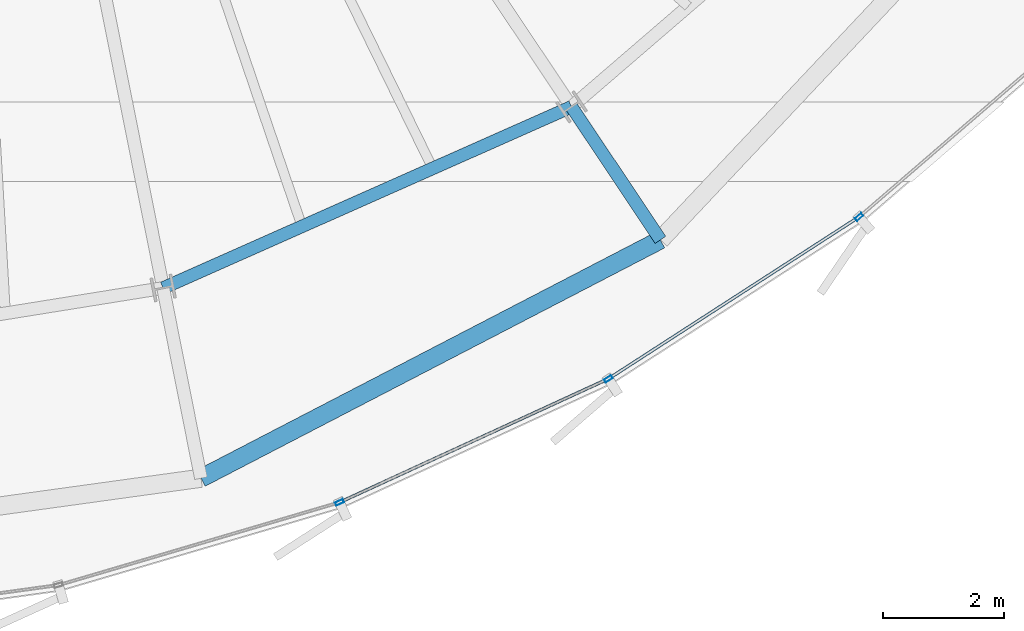
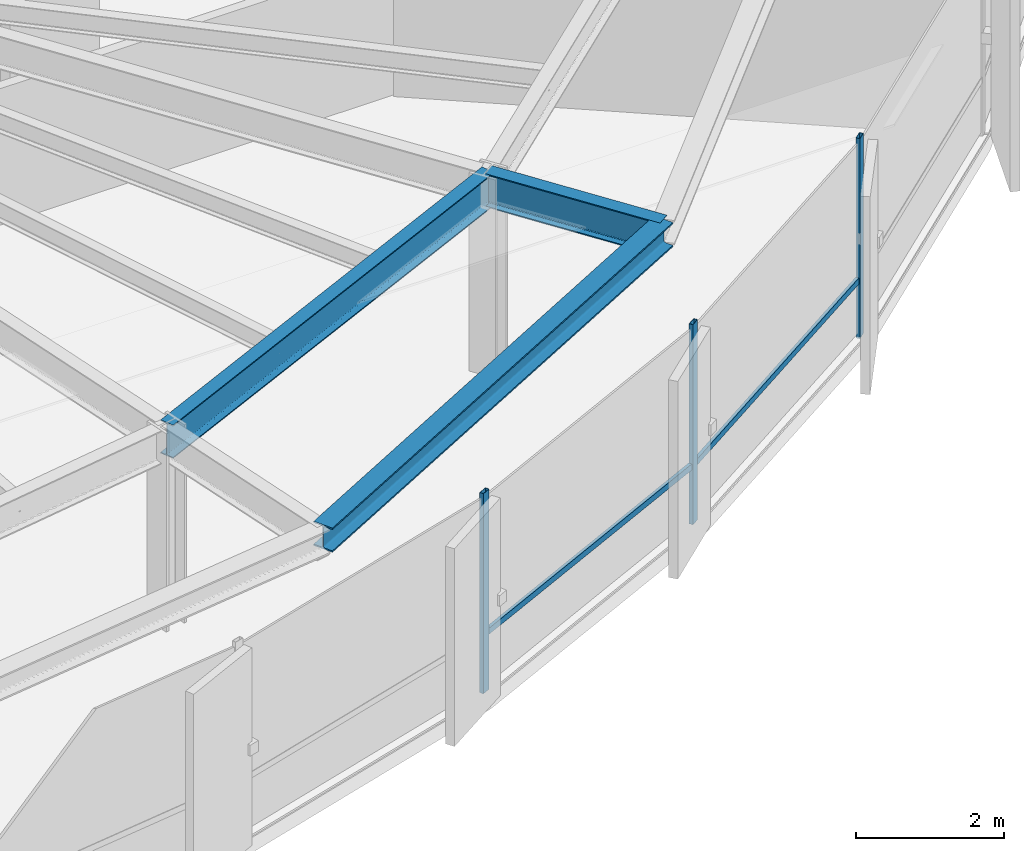
# One storey, part 12 of 36: 5 members, 3 beams, 1 element without a shape of its own.
"""IFC4 building model written with IfcOpenShell, lengths in metres."""

from ifc_helpers import new_model, si_unit, direction, frame, origin, origin_2d, place, context, subcontext, project, spatial, hollow_rectangle, i_section, extrude, source, transform, mapped, material, layer, layer_set, material_profile, profile_set, type_object, element, aggregate, save


model = new_model("IFC4")

# Units and contexts
model_context = context("Model", 3, precision=1e-05, world=origin(), true_north=direction((0.0, 1.0)))
body_context = subcontext(model_context, "Body", "Model", "MODEL_VIEW")
ifc_project = project(units=[si_unit("LENGTHUNIT", "METRE"), si_unit("AREAUNIT", "SQUARE_METRE"), si_unit("VOLUMEUNIT", "CUBIC_METRE"), si_unit("PLANEANGLEUNIT", "RADIAN"), si_unit("MASSUNIT", "GRAM", prefix="KILO"), si_unit("THERMODYNAMICTEMPERATUREUNIT", "KELVIN")], contexts=[model_context])

# Site, building, storey
site_placement = place(None, origin())
site = spatial("IfcSite", under=ifc_project, at=site_placement, CompositionType="ELEMENT")
building_placement = place(site_placement, origin())
building = spatial("IfcBuilding", under=site, at=building_placement, Name="Kethvar Cultural Tower", CompositionType="ELEMENT")
storey_placement = place(building_placement, frame((0.0, 0.0, 150.10009765625)))
storey = spatial("IfcBuildingStorey", under=building, at=storey_placement, Name="L38", CompositionType="ELEMENT", Elevation=150.10009765625)

# Beams
ifc_material_1 = material(Name="Steel S355J2", Category="steel")
ifc_material_profile_1 = material_profile(ifc_material_1, i_section(OverallWidth=0.2099609375, OverallDepth=0.550048828125, WebThickness=0.010986328125, FlangeThickness=0.01708984375, FilletRadius=0.02392578125, at=origin_2d()), Name="Steel S355J2 — IPE550")
ifc_profile_set_1 = profile_set([ifc_material_profile_1], Name="Steel S355J2 — IPE550")
beam_type_1 = type_object("IfcBeamType", Name="BM-IPE550", PredefinedType="BEAM", material=ifc_profile_set_1)
shared_shape_1 = source(origin(), body_context, "Body", "SweptSolid", [
    extrude(i_section(OverallWidth=0.2099609375, OverallDepth=0.550048828125, WebThickness=0.010986328125, FlangeThickness=0.01708984375, FilletRadius=0.02392578125, at=origin_2d()), origin(), (0.0, 0.0, 1.0), 7.3720703125),
])
beam_1_placement = place(storey_placement, frame((50.50341796875, 9.182373046875, 3.02294921875), z_axis=(0.914058560918, 0.405582232367, 0.0), x_axis=(-0.405582232367, 0.914058560918, 0.0)))
element("IfcBeam", 1, at=beam_1_placement, inside=storey, type_object=beam_type_1, Name="L38 Column Ring Tie Beam CR-13", PredefinedType="BEAM", context=body_context, shape_type="MappedRepresentation", body=[
    mapped(shared_shape_1, transform((0.0, 0.0, 0.0), scale=1.0)),
])
shared_shape_2 = source(origin(), body_context, "Body", "SweptSolid", [
    extrude(i_section(OverallWidth=0.2099609375, OverallDepth=0.550048828125, WebThickness=0.010986328125, FlangeThickness=0.01708984375, FilletRadius=0.02392578125, at=origin_2d()), origin(), (0.0, 0.0, 1.0), 2.640869140625),
])
beam_2_placement = place(storey_placement, frame((57.241943359375, 12.17236328125, 3.02294921875), z_axis=(0.555595882292, -0.831452473434, 0.0), x_axis=(0.831452473434, 0.555595882292, 0.0)))
element("IfcBeam", 2, at=beam_2_placement, inside=storey, type_object=beam_type_1, Name="L38 Perimeter Cantilever Beam RC-14", PredefinedType="BEAM", context=body_context, shape_type="MappedRepresentation", body=[
    mapped(shared_shape_2, transform((0.0, 0.0, 0.0), scale=1.0)),
])
ifc_material_profile_2 = material_profile(ifc_material_1, i_section(OverallWidth=0.300048828125, OverallDepth=0.39990234375, WebThickness=0.013427734375, FlangeThickness=0.02392578125, FilletRadius=0.027099609375, at=origin_2d()), Name="Steel S355J2 — HEB400")
ifc_profile_set_2 = profile_set([ifc_material_profile_2], Name="Steel S355J2 — HEB400")
beam_type_2 = type_object("IfcBeamType", Name="BM-SP400", PredefinedType="SPANDREL", material=ifc_profile_set_2)
shared_shape_3 = source(origin(), body_context, "Body", "SweptSolid", [
    extrude(i_section(OverallWidth=0.300048828125, OverallDepth=0.39990234375, WebThickness=0.013427734375, FlangeThickness=0.02392578125, FilletRadius=0.027099609375, at=origin_2d()), origin(), (0.0, 0.0, 1.0), 8.541015625),
])
beam_3_placement = place(storey_placement, frame((51.127685546875, 6.043701171875, 3.097900390625), z_axis=(0.887673614915, 0.460473184217, 0.0), x_axis=(-0.460473184217, 0.887673614915, 0.0)))
element("IfcBeam", 3, at=beam_3_placement, inside=storey, type_object=beam_type_2, Name="L38 Perimeter Spandrel Beam SP-13", PredefinedType="SPANDREL", context=body_context, shape_type="MappedRepresentation", body=[
    mapped(shared_shape_3, transform((0.0, 0.0, 0.0), scale=1.0)),
])

# Curtain wall, members
ifc_material_2 = material(Name="Aluminium 6063-T6", Category="aluminium")
ifc_layer = layer(ifc_material_2, 0.179931640625, Name="Aluminium 6063-T6", Category="aluminium")
ifc_layer_set = layer_set([ifc_layer], Name="Aluminium 6063-T6 (180 mm)")
curtain_wall_type = type_object("IfcCurtainWallType", Name="CW-SYS-04-Z34", PredefinedType="NOTDEFINED", material=ifc_layer_set)
curtain_wall_placement = place(storey_placement, origin())
curtain_wall = element("IfcCurtainWall", 4, at=curtain_wall_placement, inside=storey, type_object=curtain_wall_type, Name="L38 Curtain Wall Run 05", PredefinedType="NOTDEFINED")
ifc_material_profile_3 = material_profile(ifc_material_2, hollow_rectangle(XDim=0.06005859375, YDim=0.139892578125, WallThickness=0.0048828125, at=origin_2d()), Name="Aluminium 6063-T6 — RHS140x60x5")
ifc_profile_set_3 = profile_set([ifc_material_profile_3], Name="Aluminium 6063-T6 — RHS140x60x5")
member_type_1 = type_object("IfcMemberType", Name="CW-SYS-04-Z34-MUL", PredefinedType="MULLION", material=ifc_profile_set_3)
shared_shape_4 = source(origin(), body_context, "Body", "SweptSolid", [
    extrude(hollow_rectangle(XDim=0.06005859375, YDim=0.139892578125, WallThickness=0.0048828125, at=origin_2d()), origin(), (0.0, 0.0, 1.0), 3.2998046875),
])
member_1_placement = place(storey_placement, frame((53.41455078125, 5.64453125, 0.0), z_axis=(0.0, 0.0, 1.0), x_axis=(-0.417819503851, 0.90853005575, 0.0)))
member_1 = element("IfcMember", 5, at=member_1_placement, type_object=member_type_1, Name="CW-L38-R05 Mullion 3", PredefinedType="MULLION", context=body_context, shape_type="MappedRepresentation", body=[
    mapped(shared_shape_4, transform((0.0, 0.0, 0.0), scale=1.0)),
])
member_2_placement = place(storey_placement, frame((57.850341796875, 7.683349609375, 0.0), z_axis=(0.0, 0.0, 1.0), x_axis=(-0.542720092405, 0.839913627286, 0.0)))
member_2 = element("IfcMember", 6, at=member_2_placement, type_object=member_type_1, Name="CW-L38-R05 Mullion 4", PredefinedType="MULLION", context=body_context, shape_type="MappedRepresentation", body=[
    mapped(shared_shape_4, transform((0.0, 0.0, 0.0), scale=1.0)),
])
member_3_placement = place(storey_placement, frame((61.985595703125, 10.35400390625, 0.0), z_axis=(0.0, 0.0, 1.0), x_axis=(-0.652786196072, 0.757542198309, 0.0)))
member_3 = element("IfcMember", 7, at=member_3_placement, type_object=member_type_1, Name="CW-L38-R05 Mullion 5", PredefinedType="MULLION", context=body_context, shape_type="MappedRepresentation", body=[
    mapped(shared_shape_4, transform((0.0, 0.0, 0.0), scale=1.0)),
])
ifc_material_profile_4 = material_profile(ifc_material_2, hollow_rectangle(XDim=0.050048828125, YDim=0.10009765625, WallThickness=0.00390625, at=origin_2d()), Name="Aluminium 6063-T6 — RHS100x50x4")
ifc_profile_set_4 = profile_set([ifc_material_profile_4], Name="Aluminium 6063-T6 — RHS100x50x4")
member_type_2 = type_object("IfcMemberType", Name="CW-SYS-04-Z34-TRN", PredefinedType="USERDEFINED", material=ifc_profile_set_4)
shared_shape_5 = source(origin(), body_context, "Body", "SweptSolid", [
    extrude(hollow_rectangle(XDim=0.050048828125, YDim=0.10009765625, WallThickness=0.00390625, at=origin_2d()), origin(), (0.0, 0.0, 1.0), 4.85107421875),
])
member_4_placement = place(storey_placement, frame((57.88671875, 7.706787109375, 0.949951171875), z_axis=(0.839908903803, 0.542727402397, 0.0), x_axis=(-0.542727402397, 0.839908903803, 0.0)))
member_4 = element("IfcMember", 8, at=member_4_placement, type_object=member_type_2, Name="CW-L38-R05 Transom 4", ObjectType="TRANSOM", PredefinedType="USERDEFINED", context=body_context, shape_type="MappedRepresentation", body=[
    mapped(shared_shape_5, transform((0.0, 0.0, 0.0), scale=1.0)),
])
shared_shape_6 = source(origin(), body_context, "Body", "SweptSolid", [
    extrude(hollow_rectangle(XDim=0.050048828125, YDim=0.10009765625, WallThickness=0.00390625, at=origin_2d()), origin(), (0.0, 0.0, 1.0), 4.81103515625),
])
member_5_placement = place(storey_placement, frame((53.453857421875, 5.66259765625, 0.949951171875), z_axis=(0.908517038794, 0.417847807486, 0.0), x_axis=(-0.417847807486, 0.908517038794, 0.0)))
member_5 = element("IfcMember", 9, at=member_5_placement, type_object=member_type_2, Name="CW-L38-R05 Transom 3", ObjectType="TRANSOM", PredefinedType="USERDEFINED", context=body_context, shape_type="MappedRepresentation", body=[
    mapped(shared_shape_6, transform((0.0, 0.0, 0.0), scale=1.0)),
])
aggregate(curtain_wall, [member_1, member_2, member_3, member_5, member_4])

save(model, "model.ifc")
